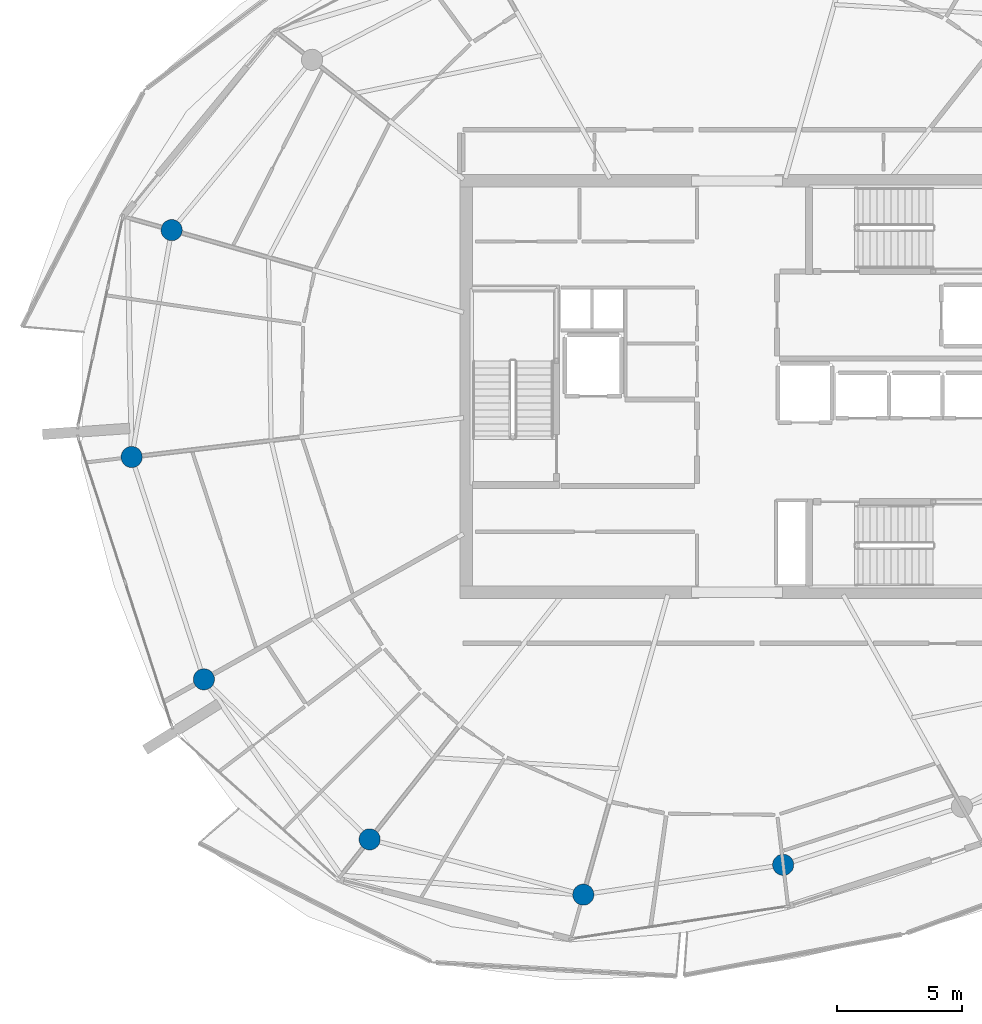
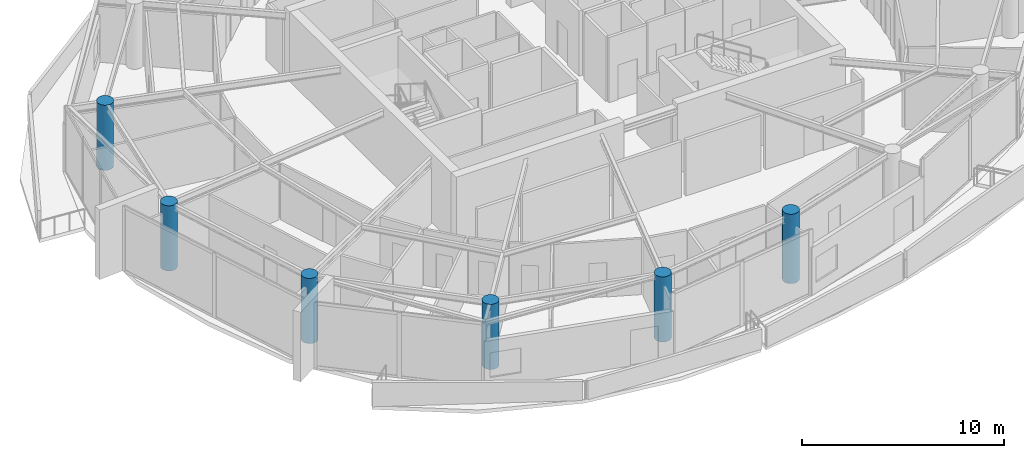
# One storey, part 1 of 20: 6 columns.
"""IFC4 building model written with IfcOpenShell, lengths in metres."""

from ifc_helpers import new_model, si_unit, direction, frame, origin, origin_2d, place, context, subcontext, project, spatial, circle, extrude, material, material_profile, profile_set, type_object, element, save


model = new_model("IFC4")

# Units and contexts
model_context = context("Model", 3, precision=1e-05, world=origin(), true_north=direction((0.0, 1.0)))
body_context = subcontext(model_context, "Body", "Model", "MODEL_VIEW")
ifc_project = project(units=[si_unit("LENGTHUNIT", "METRE"), si_unit("AREAUNIT", "SQUARE_METRE"), si_unit("VOLUMEUNIT", "CUBIC_METRE"), si_unit("PLANEANGLEUNIT", "RADIAN"), si_unit("MASSUNIT", "GRAM", prefix="KILO")], contexts=[model_context])

# Site, building, storey
site_placement = place(None, origin())
site = spatial("IfcSite", under=ifc_project, at=site_placement, CompositionType="ELEMENT")
building_placement = place(site_placement, origin())
building = spatial("IfcBuilding", under=site, at=building_placement, Name="Kazma Halo Residences", CompositionType="ELEMENT")
storey_placement = place(building_placement, frame((0.0, 0.0, 317.89990234375)))
storey = spatial("IfcBuildingStorey", under=building, at=storey_placement, Name="L80", CompositionType="ELEMENT", Elevation=317.89990234375)

# Columns
ifc_material = material(Name="Concrete C60/75", Category="concrete")
ifc_material_profile = material_profile(ifc_material, circle(Radius=0.425048828125, at=origin_2d()), Name="CIRC850")
ifc_profile_set = profile_set([ifc_material_profile], Name="Concrete C60/75")
column_type = type_object("IfcColumnType", Name="COL-PERIM-850", PredefinedType="COLUMN", material=ifc_profile_set)
for number, where, z_axis, x_axis, name in (
    (1, (25.744384765625, 48.276611328125, 0.0), (0.0, 0.0, 1.0), (1.0, 0.0, 0.0), "L80 perimeter ring column P07"),
    (2, (24.1396484375, 39.17578125, 0.0), (0.0, 0.0, 1.0), (1.0, 0.0, 0.0), "L80 perimeter ring column P08"),
    (3, (27.03662109375, 30.260009765625, 0.0), (0.0, 0.0, 1.0), (1.0, 0.0, 0.0), "L80 perimeter ring column P09"),
    (4, (33.68408203125, 23.840576171875, 0.0), (0.0, 0.0, 1.0), (1.0, 0.0, 0.0), "L80 perimeter ring column P10"),
    (5, (42.25341796875, 21.62353515625, 0.0), (0.0, 0.0, 1.0), (1.0, 0.0, 0.0), "L80 perimeter ring column P11"),
):
    element("IfcColumn", number, at=place(storey_placement, frame(where, z_axis=z_axis, x_axis=x_axis)), inside=storey, type_object=column_type, Name=name, PredefinedType="COLUMN", context=body_context, shape_type="SweptSolid", body=[
        extrude(circle(Radius=0.425048828125, at=origin_2d()), origin(), (0.0, 0.0, 1.0), 3.940185546875),
    ])
column_placement = place(storey_placement, frame((50.27001953125, 22.82080078125, 0.0), z_axis=(0.0, 0.0, 1.0), x_axis=(1.0, 0.0, 0.0)))
element("IfcColumn", 6, at=column_placement, inside=storey, type_object=column_type, Name="L80 perimeter ring column P12", PredefinedType="COLUMN", context=body_context, shape_type="SweptSolid", body=[
    extrude(circle(Radius=0.425048828125, at=origin_2d()), origin(), (0.0, 0.0, 1.0), 4.196044921875),
])

save(model, "model.ifc")
